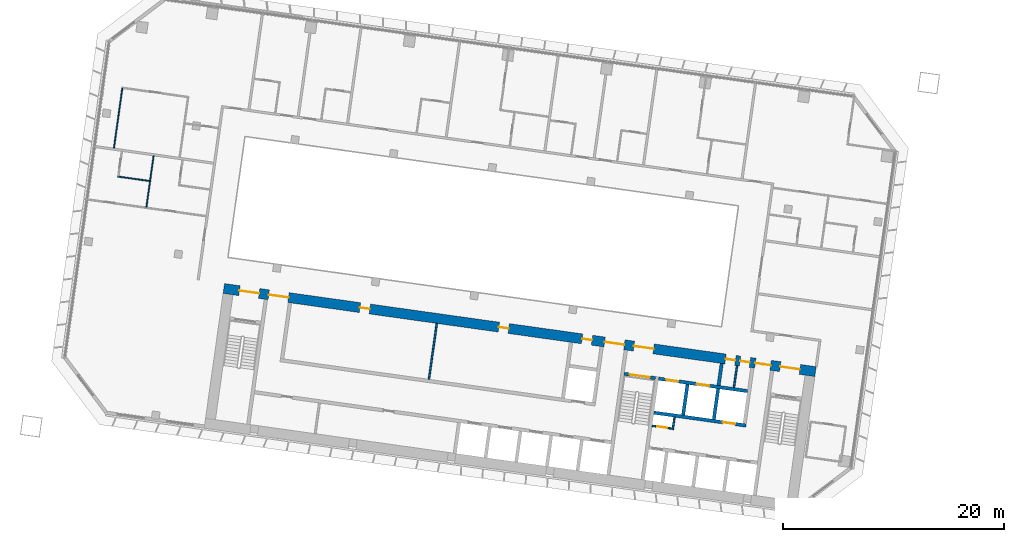
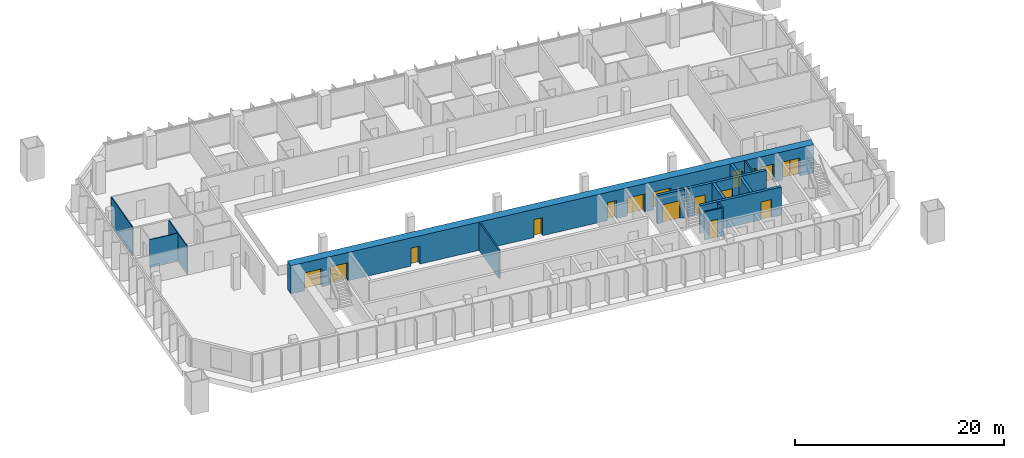
# One storey, part 15 of 24: 16 doors, 14 walls, 16 openings.
"""IFC4 building model written with IfcOpenShell, lengths in metres."""

from ifc_helpers import new_model, si_unit, direction, frame, frame_2d, origin, place, context, subcontext, project, spatial, rectangle, extrude, material, layer, layer_set, type_object, element, fill, save


model = new_model("IFC4")

# Units and contexts
model_context = context("Model", 3, precision=1e-05, world=origin(), true_north=direction((0.0, 1.0)))
body_context = subcontext(model_context, "Body", "Model", "MODEL_VIEW")
ifc_project = project(units=[si_unit("LENGTHUNIT", "METRE"), si_unit("AREAUNIT", "SQUARE_METRE"), si_unit("VOLUMEUNIT", "CUBIC_METRE"), si_unit("PLANEANGLEUNIT", "RADIAN"), si_unit("MASSUNIT", "GRAM", prefix="KILO")], contexts=[model_context])

# Site, building, storey
site_placement = place(None, origin())
site = spatial("IfcSite", under=ifc_project, at=site_placement, CompositionType="ELEMENT")
building_placement = place(site_placement, origin())
building = spatial("IfcBuilding", under=site, at=building_placement, Name="Mirante Cascada Hotel Towers", CompositionType="ELEMENT")
storey_placement = place(building_placement, frame((0.0, 0.0, 88.9)))
storey = spatial("IfcBuildingStorey", under=building, at=storey_placement, Name="L19", CompositionType="ELEMENT", Elevation=88.9)

# Wall
ifc_material_1 = material(Name="Masonry block", Category="masonry")
ifc_layer_1 = layer(ifc_material_1, 0.15)
ifc_layer_set_1 = layer_set([ifc_layer_1], Name="Core room partition 150 block EI 30")
wall_type_1 = type_object("IfcWallType", Name="Core room partition 150 block EI 30", PredefinedType="PARTITIONING", material=ifc_layer_set_1)
wall_1_placement = place(storey_placement, frame((-48.2295, -12.793, 0.0), z_axis=(0.0, 0.0, 1.0), x_axis=(0.1391935, 0.9902652, 0.0)))
element("IfcWall", 1, at=wall_1_placement, inside=storey, type_object=wall_type_1, Name="Core wall partition T1 L19 2", PredefinedType="PARTITIONING", context=body_context, shape_type="SweptSolid", body=[
    extrude(rectangle(XDim=1.1251, YDim=0.15, at=frame_2d((0.5626, 0.0))), origin(), (0.0, 0.0, 1.0), 3.3),
])

# Wall, opening, door
wall_2_placement = place(storey_placement, frame((-48.2933, -12.7083, 0.0), z_axis=(0.0, 0.0, 1.0), x_axis=(-0.990268, 0.1391734, 0.0)))
wall_2 = element("IfcWall", 2, at=wall_2_placement, inside=storey, type_object=wall_type_1, Name="Core wall partition T1 L19 3", PredefinedType="PARTITIONING", context=body_context, shape_type="SweptSolid", body=[
    extrude(rectangle(XDim=1.8251, YDim=0.15, at=frame_2d((0.9126, 0.0))), origin(), (0.0, 0.0, 1.0), 3.3),
])
opening_1_placement = place(wall_2_placement, frame((0.4625, 0.0, 0.0)))
opening_1 = element("IfcOpeningElement", 3, at=opening_1_placement, cuts=wall_2, Name="Opening D1-19-C23", PredefinedType="OPENING", context=body_context, shape_type="SweptSolid", body=[
    extrude(rectangle(XDim=0.9, YDim=2.1, at=frame_2d((0.45, 1.05))), frame((0.0, 0.075, 0.0), z_axis=(0.0, -1.0, 0.0), x_axis=(1.0, 0.0, 0.0)), (0.0, 0.0, 1.0), 0.15),
])
ifc_material_2 = material(Name="Hollow metal fire door leaf")
door_type_1 = type_object("IfcDoorType", Name="Fire door 900x2100 FD60", OperationType="NOTDEFINED", PredefinedType="DOOR", material=ifc_material_2)
door_1_placement = place(opening_1_placement, origin())
door_1 = element("IfcDoor", 4, at=door_1_placement, inside=storey, type_object=door_type_1, Name="Riser door T1 L19 23", OperationType="SINGLE_SWING_LEFT", OverallHeight=2.1, OverallWidth=0.9, PredefinedType="DOOR", context=body_context, shape_type="SweptSolid", body=[
    extrude(rectangle(XDim=0.9, YDim=2.1, at=frame_2d((0.45, 1.05))), frame((0.0, 0.025, 0.0), z_axis=(0.0, -1.0, 0.0), x_axis=(1.0, 0.0, 0.0)), (0.0, 0.0, 1.0), 0.05),
])
fill(opening_1, door_1)

# Walls
wall_3_placement = place(storey_placement, frame((-42.6979, -9.0009, 0.0), z_axis=(0.0, 0.0, 1.0), x_axis=(0.1391529, 0.9902709, 0.0)))
element("IfcWall", 5, at=wall_3_placement, inside=storey, type_object=wall_type_1, Name="Core wall partition T1 L19 4", PredefinedType="PARTITIONING", context=body_context, shape_type="SweptSolid", body=[
    extrude(rectangle(XDim=2.0, YDim=0.15, at=frame_2d((1.0, 0.0))), origin(), (0.0, 0.0, 1.0), 3.3),
])
wall_4_placement = place(storey_placement, frame((-70.2627, -8.2574, 0.0), z_axis=(0.0, 0.0, 1.0), x_axis=(0.1391755, 0.9902677, 0.0)))
element("IfcWall", 6, at=wall_4_placement, inside=storey, type_object=wall_type_1, Name="Core wall partition T1 L19 6", PredefinedType="PARTITIONING", context=body_context, shape_type="SweptSolid", body=[
    extrude(rectangle(XDim=5.1, YDim=0.15, at=frame_2d((2.55, 0.0))), origin(), (0.0, 0.0, 1.0), 3.3),
])
ifc_material_3 = material(Name="Masonry block", Category="masonry")
ifc_layer_2 = layer(ifc_material_3, 0.3)
ifc_layer_set_2 = layer_set([ifc_layer_2], Name="Core wall 300 block EI 120")
wall_type_2 = type_object("IfcWallType", Name="Core wall 300 block EI 120", PredefinedType="PARTITIONING", material=ifc_layer_set_2)
wall_5_placement = place(storey_placement, frame((-44.0843, -8.8061, 0.0), z_axis=(0.0, 0.0, 1.0), x_axis=(0.1391951, 0.990265, 0.0)))
element("IfcWall", 7, at=wall_5_placement, inside=storey, type_object=wall_type_2, Name="Core wall partition T1 L19 1", PredefinedType="PARTITIONING", context=body_context, shape_type="SweptSolid", body=[
    extrude(rectangle(XDim=2.0001, YDim=0.3, at=frame_2d((1.0001, 0.0))), origin(), (0.0, 0.0, 1.0), 3.3),
])
ifc_material_4 = material(Name="Plasterboard on metal studs")
ifc_layer_3 = layer(ifc_material_4, 0.1)
ifc_layer_set_3 = layer_set([ifc_layer_3], Name="Partition 100")
wall_type_3 = type_object("IfcWallType", Name="Partition 100", PredefinedType="PARTITIONING", material=ifc_layer_set_3)
wall_6_placement = place(storey_placement, frame((-98.386, 10.0682, 0.0), z_axis=(0.0, 0.0, 1.0), x_axis=(0.9902683, -0.1391714, 0.0)))
element("IfcWall", 8, at=wall_6_placement, inside=storey, type_object=wall_type_3, Name="Wall 1-L19-07", PredefinedType="PARTITIONING", context=body_context, shape_type="SweptSolid", body=[
    extrude(rectangle(XDim=2.9, YDim=0.1, at=frame_2d((1.45, 0.0))), origin(), (0.0, 0.0, 1.0), 3.3),
])
wall_7_placement = place(storey_placement, frame((-95.7964, 7.2976, 0.0), z_axis=(0.0, 0.0, 1.0), x_axis=(0.139176, 0.9902677, 0.0)))
element("IfcWall", 9, at=wall_7_placement, inside=storey, type_object=wall_type_3, Name="Wall 1-L19-52", PredefinedType="PARTITIONING", context=body_context, shape_type="SweptSolid", body=[
    extrude(rectangle(XDim=4.6833, YDim=0.1, at=frame_2d((2.3416, 0.0))), origin(), (0.0, 0.0, 1.0), 3.3),
])
wall_8_placement = place(storey_placement, frame((-98.7312, 12.6413, 0.0), z_axis=(0.0, 0.0, 1.0), x_axis=(0.1391733, 0.990268, 0.0)))
element("IfcWall", 10, at=wall_8_placement, inside=storey, type_object=wall_type_3, Name="Wall 1-L19-54", PredefinedType="PARTITIONING", context=body_context, shape_type="SweptSolid", body=[
    extrude(rectangle(XDim=5.45, YDim=0.1, at=frame_2d((2.725, 0.0))), origin(), (0.0, 0.0, 1.0), 3.3),
])

# Wall, opening, door
ifc_material_5 = material(Name="Concrete C50/60", Category="concrete")
ifc_layer_4 = layer(ifc_material_5, 0.3)
ifc_layer_set_4 = layer_set([ifc_layer_4], Name="RC core wall 300 C50/60")
wall_type_4 = type_object("IfcWallType", Name="RC core wall 300 C50/60", PredefinedType="SHEAR", material=ifc_layer_set_4)
wall_9_placement = place(storey_placement, frame((-49.7992, -8.1544, 0.0), z_axis=(0.0, 0.0, 1.0), x_axis=(-0.9902656, 0.1391909, 0.0)))
wall_9 = element("IfcWall", 11, at=wall_9_placement, inside=storey, type_object=wall_type_4, Name="Core wall T1:L19:10", PredefinedType="SHEAR", context=body_context, shape_type="SweptSolid", body=[
    extrude(rectangle(XDim=2.85, YDim=0.3, at=frame_2d((1.425, 0.0))), origin(), (0.0, 0.0, 1.0), 3.3),
])
opening_2_placement = place(wall_9_placement, frame((0.525, 0.0, 0.0)))
opening_2 = element("IfcOpeningElement", 12, at=opening_2_placement, cuts=wall_9, Name="Opening D1-19-C15", PredefinedType="OPENING", context=body_context, shape_type="SweptSolid", body=[
    extrude(rectangle(XDim=1.8, YDim=2.1, at=frame_2d((0.9, 1.05))), frame((0.0, 0.15, 0.0), z_axis=(0.0, -1.0, 0.0), x_axis=(1.0, 0.0, 0.0)), (0.0, 0.0, 1.0), 0.3),
])
ifc_material_6 = material(Name="Hollow metal fire door leaf")
door_type_2 = type_object("IfcDoorType", Name="Double fire door 1800x2100 FD60", OperationType="DOUBLE_DOOR_SINGLE_SWING", PredefinedType="DOOR", material=ifc_material_6)
door_2_placement = place(opening_2_placement, origin())
door_2 = element("IfcDoor", 13, at=door_2_placement, inside=storey, type_object=door_type_2, Name="Stair door T1 L19 15", OperationType="DOUBLE_DOOR_SINGLE_SWING", OverallHeight=2.1, OverallWidth=1.8, PredefinedType="DOOR", context=body_context, shape_type="SweptSolid", body=[
    extrude(rectangle(XDim=0.895, YDim=2.1, at=frame_2d((0.4475, 1.05))), frame((0.0, 0.025, 0.0), z_axis=(0.0, -1.0, 0.0), x_axis=(1.0, 0.0, 0.0)), (0.0, 0.0, 1.0), 0.05),
    extrude(rectangle(XDim=0.895, YDim=2.1, at=frame_2d((1.3525, 1.05))), frame((0.0, 0.025, 0.0), z_axis=(0.0, -1.0, 0.0), x_axis=(1.0, 0.0, 0.0)), (0.0, 0.0, 1.0), 0.05),
])
fill(opening_2, door_2)

wall_10_placement = place(storey_placement, frame((-41.6153, -12.435, 0.0), z_axis=(0.0, 0.0, 1.0), x_axis=(-0.9902691, 0.139166, 0.0)))
wall_10 = element("IfcWall", 14, at=wall_10_placement, inside=storey, type_object=wall_type_4, Name="Core wall T1:L19:13", PredefinedType="SHEAR", context=body_context, shape_type="SweptSolid", body=[
    extrude(rectangle(XDim=8.4, YDim=0.3, at=frame_2d((4.2, 0.0))), origin(), (0.0, 0.0, 1.0), 3.3),
])
opening_3_placement = place(wall_10_placement, frame((1.0, 0.0, 0.0)))
opening_3 = element("IfcOpeningElement", 15, at=opening_3_placement, cuts=wall_10, Name="Opening LD", PredefinedType="OPENING", context=body_context, shape_type="SweptSolid", body=[
    extrude(rectangle(XDim=1.1, YDim=2.1, at=frame_2d((0.55, 1.05))), frame((0.0, 0.15, 0.0), z_axis=(0.0, -1.0, 0.0), x_axis=(1.0, 0.0, 0.0)), (0.0, 0.0, 1.0), 0.3),
])
ifc_material_7 = material(Name="Stainless steel", Category="steel")
door_type_3 = type_object("IfcDoorType", Name="Lift landing door 1100x2100 EI 120", OperationType="DOUBLE_DOOR_SLIDING", PredefinedType="DOOR", material=ifc_material_7)
door_3_placement = place(opening_3_placement, origin())
door_3 = element("IfcDoor", 16, at=door_3_placement, inside=storey, type_object=door_type_3, Name="Lift landing door HR1-4 L19", OperationType="DOUBLE_DOOR_SLIDING", OverallHeight=2.1, OverallWidth=1.1, PredefinedType="DOOR", context=body_context, shape_type="SweptSolid", body=[
    extrude(rectangle(XDim=0.545, YDim=2.1, at=frame_2d((0.2725, 1.05))), frame((0.0, 0.025, 0.0), z_axis=(0.0, -1.0, 0.0), x_axis=(1.0, 0.0, 0.0)), (0.0, 0.0, 1.0), 0.05),
    extrude(rectangle(XDim=0.545, YDim=2.1, at=frame_2d((0.8275, 1.05))), frame((0.0, 0.025, 0.0), z_axis=(0.0, -1.0, 0.0), x_axis=(1.0, 0.0, 0.0)), (0.0, 0.0, 1.0), 0.05),
])
fill(opening_3, door_3)

# Wall, openings, doors
wall_11_placement = place(storey_placement, frame((-41.481, -9.3234, 0.0), z_axis=(0.0, 0.0, 1.0), x_axis=(-0.9902679, 0.1391741, 0.0)))
wall_11 = element("IfcWall", 17, at=wall_11_placement, inside=storey, type_object=wall_type_4, Name="Core wall T1:L19:14", PredefinedType="SHEAR", context=body_context, shape_type="SweptSolid", body=[
    extrude(rectangle(XDim=8.0999, YDim=0.3, at=frame_2d((4.05, 0.0))), origin(), (0.0, 0.0, 1.0), 3.3),
])
opening_4_placement = place(wall_11_placement, frame((3.5, 0.0, 0.0)))
opening_4 = element("IfcOpeningElement", 18, at=opening_4_placement, cuts=wall_11, Name="Opening LD", PredefinedType="OPENING", context=body_context, shape_type="SweptSolid", body=[
    extrude(rectangle(XDim=1.1, YDim=2.1, at=frame_2d((0.55, 1.05))), frame((0.0, 0.15, 0.0), z_axis=(0.0, -1.0, 0.0), x_axis=(1.0, 0.0, 0.0)), (0.0, 0.0, 1.0), 0.3),
])
opening_5_placement = place(wall_11_placement, frame((6.3, 0.0, 0.0)))
opening_5 = element("IfcOpeningElement", 19, at=opening_5_placement, cuts=wall_11, Name="Opening LD", PredefinedType="OPENING", context=body_context, shape_type="SweptSolid", body=[
    extrude(rectangle(XDim=1.1, YDim=2.1, at=frame_2d((0.55, 1.05))), frame((0.0, 0.15, 0.0), z_axis=(0.0, -1.0, 0.0), x_axis=(1.0, 0.0, 0.0)), (0.0, 0.0, 1.0), 0.3),
])
door_4_placement = place(opening_4_placement, origin())
door_4 = element("IfcDoor", 20, at=door_4_placement, inside=storey, type_object=door_type_3, Name="Lift landing door FF1 L19", OperationType="DOUBLE_DOOR_SLIDING", OverallHeight=2.1, OverallWidth=1.1, PredefinedType="DOOR", context=body_context, shape_type="SweptSolid", body=[
    extrude(rectangle(XDim=0.545, YDim=2.1, at=frame_2d((0.2725, 1.05))), frame((0.0, 0.025, 0.0), z_axis=(0.0, -1.0, 0.0), x_axis=(1.0, 0.0, 0.0)), (0.0, 0.0, 1.0), 0.05),
    extrude(rectangle(XDim=0.545, YDim=2.1, at=frame_2d((0.8275, 1.05))), frame((0.0, 0.025, 0.0), z_axis=(0.0, -1.0, 0.0), x_axis=(1.0, 0.0, 0.0)), (0.0, 0.0, 1.0), 0.05),
])
fill(opening_4, door_4)
door_5_placement = place(opening_5_placement, origin())
door_5 = element("IfcDoor", 21, at=door_5_placement, inside=storey, type_object=door_type_3, Name="Lift landing door FF2 L19", OperationType="DOUBLE_DOOR_SLIDING", OverallHeight=2.1, OverallWidth=1.1, PredefinedType="DOOR", context=body_context, shape_type="SweptSolid", body=[
    extrude(rectangle(XDim=0.545, YDim=2.1, at=frame_2d((0.2725, 1.05))), frame((0.0, 0.025, 0.0), z_axis=(0.0, -1.0, 0.0), x_axis=(1.0, 0.0, 0.0)), (0.0, 0.0, 1.0), 0.05),
    extrude(rectangle(XDim=0.545, YDim=2.1, at=frame_2d((0.8275, 1.05))), frame((0.0, 0.025, 0.0), z_axis=(0.0, -1.0, 0.0), x_axis=(1.0, 0.0, 0.0)), (0.0, 0.0, 1.0), 0.05),
])
fill(opening_5, door_5)

# Walls
for number, where, z_axis, x_axis, name in (
    (22, (-44.5157, -11.8759, 0.0), (0.0, 0.0, 1.0), (0.139181, 0.990267, 0.0), "Core wall T1:L19:18"),
    (23, (-47.2885, -11.4862, 0.0), (0.0, 0.0, 1.0), (0.139181, 0.990267, 0.0), "Core wall T1:L19:19"),
):
    element("IfcWall", number, at=place(storey_placement, frame(where, z_axis=z_axis, x_axis=x_axis)), inside=storey, type_object=wall_type_4, Name=name, PredefinedType="SHEAR", context=body_context, shape_type="SweptSolid", body=[
        extrude(rectangle(XDim=2.8, YDim=0.3, at=frame_2d((1.4, 0.0))), origin(), (0.0, 0.0, 1.0), 3.3),
    ])

# Wall, openings, doors
ifc_material_8 = material(Name="Concrete C50/60", Category="concrete")
ifc_layer_5 = layer(ifc_material_8, 0.9)
ifc_layer_set_5 = layer_set([ifc_layer_5], Name="RC core wall 900 C50/60")
wall_type_5 = type_object("IfcWallType", Name="RC core wall 900 C50/60", PredefinedType="SHEAR", material=ifc_layer_set_5)
wall_12_placement = place(storey_placement, frame((-35.326, -7.5629, 0.0), z_axis=(0.0, 0.0, 1.0), x_axis=(-0.9902679, 0.139174, 0.0)))
wall_12 = element("IfcWall", 24, at=wall_12_placement, inside=storey, type_object=wall_type_5, Name="Core wall T1:L19:2", PredefinedType="SHEAR", context=body_context, shape_type="SweptSolid", body=[
    extrude(rectangle(XDim=54.0, YDim=0.9, at=frame_2d((27.0, 0.0))), origin(), (0.0, 0.0, 1.0), 3.3),
])
opening_6_placement = place(wall_12_placement, frame((1.425, 0.0, 0.0)))
opening_6 = element("IfcOpeningElement", 25, at=opening_6_placement, cuts=wall_12, Name="Opening D1-19-C14", PredefinedType="OPENING", context=body_context, shape_type="SweptSolid", body=[
    extrude(rectangle(XDim=1.8, YDim=2.1, at=frame_2d((0.9, 1.05))), frame((0.0, 0.45, 0.0), z_axis=(0.0, -1.0, 0.0), x_axis=(1.0, 0.0, 0.0)), (0.0, 0.0, 1.0), 0.9),
])
opening_7_placement = place(wall_12_placement, frame((14.775, 0.0, 0.0)))
opening_7 = element("IfcOpeningElement", 26, at=opening_7_placement, cuts=wall_12, Name="Opening D1-19-C16", PredefinedType="OPENING", context=body_context, shape_type="SweptSolid", body=[
    extrude(rectangle(XDim=1.8, YDim=2.1, at=frame_2d((0.9, 1.05))), frame((0.0, 0.45, 0.0), z_axis=(0.0, -1.0, 0.0), x_axis=(1.0, 0.0, 0.0)), (0.0, 0.0, 1.0), 0.9),
])
opening_8_placement = place(wall_12_placement, frame((50.775, 0.0, 0.0)))
opening_8 = element("IfcOpeningElement", 27, at=opening_8_placement, cuts=wall_12, Name="Opening D1-19-C18", PredefinedType="OPENING", context=body_context, shape_type="SweptSolid", body=[
    extrude(rectangle(XDim=1.8, YDim=2.1, at=frame_2d((0.9, 1.05))), frame((0.0, 0.45, 0.0), z_axis=(0.0, -1.0, 0.0), x_axis=(1.0, 0.0, 0.0)), (0.0, 0.0, 1.0), 0.9),
])
opening_9_placement = place(wall_12_placement, frame((4.1, 0.0, 0.0)))
opening_9 = element("IfcOpeningElement", 28, at=opening_9_placement, cuts=wall_12, Name="Opening D1-19-C19", PredefinedType="OPENING", context=body_context, shape_type="SweptSolid", body=[
    extrude(rectangle(XDim=1.4, YDim=2.1, at=frame_2d((0.7, 1.05))), frame((0.0, 0.45, 0.0), z_axis=(0.0, -1.0, 0.0), x_axis=(1.0, 0.0, 0.0)), (0.0, 0.0, 1.0), 0.9),
])
opening_10_placement = place(wall_12_placement, frame((17.45, 0.0, 0.0)))
opening_10 = element("IfcOpeningElement", 29, at=opening_10_placement, cuts=wall_12, Name="Opening D1-19-C20", PredefinedType="OPENING", context=body_context, shape_type="SweptSolid", body=[
    extrude(rectangle(XDim=1.8, YDim=2.1, at=frame_2d((0.9, 1.05))), frame((0.0, 0.45, 0.0), z_axis=(0.0, -1.0, 0.0), x_axis=(1.0, 0.0, 0.0)), (0.0, 0.0, 1.0), 0.9),
])
opening_11_placement = place(wall_12_placement, frame((48.1, 0.0, 0.0)))
opening_11 = element("IfcOpeningElement", 30, at=opening_11_placement, cuts=wall_12, Name="Opening D1-19-C21", PredefinedType="OPENING", context=body_context, shape_type="SweptSolid", body=[
    extrude(rectangle(XDim=1.8, YDim=2.1, at=frame_2d((0.9, 1.05))), frame((0.0, 0.45, 0.0), z_axis=(0.0, -1.0, 0.0), x_axis=(1.0, 0.0, 0.0)), (0.0, 0.0, 1.0), 0.9),
])
opening_12_placement = place(wall_12_placement, frame((5.9875, 0.0, 0.0)))
opening_12 = element("IfcOpeningElement", 31, at=opening_12_placement, cuts=wall_12, Name="Opening D1-19-C24", PredefinedType="OPENING", context=body_context, shape_type="SweptSolid", body=[
    extrude(rectangle(XDim=0.9, YDim=2.1, at=frame_2d((0.45, 1.05))), frame((0.0, 0.45, 0.0), z_axis=(0.0, -1.0, 0.0), x_axis=(1.0, 0.0, 0.0)), (0.0, 0.0, 1.0), 0.9),
])
opening_13_placement = place(wall_12_placement, frame((7.3125, 0.0, 0.0)))
opening_13 = element("IfcOpeningElement", 32, at=opening_13_placement, cuts=wall_12, Name="Opening D1-19-C25", PredefinedType="OPENING", context=body_context, shape_type="SweptSolid", body=[
    extrude(rectangle(XDim=0.9, YDim=2.1, at=frame_2d((0.45, 1.05))), frame((0.0, 0.45, 0.0), z_axis=(0.0, -1.0, 0.0), x_axis=(1.0, 0.0, 0.0)), (0.0, 0.0, 1.0), 0.9),
])
opening_14_placement = place(wall_12_placement, frame((20.4, 0.0, 0.0)))
opening_14 = element("IfcOpeningElement", 33, at=opening_14_placement, cuts=wall_12, Name="Opening D1-19-C28", PredefinedType="OPENING", context=body_context, shape_type="SweptSolid", body=[
    extrude(rectangle(XDim=0.9, YDim=2.1, at=frame_2d((0.45, 1.05))), frame((0.0, 0.45, 0.0), z_axis=(0.0, -1.0, 0.0), x_axis=(1.0, 0.0, 0.0)), (0.0, 0.0, 1.0), 0.9),
])
opening_15_placement = place(wall_12_placement, frame((28.0, 0.0, 0.0)))
opening_15 = element("IfcOpeningElement", 34, at=opening_15_placement, cuts=wall_12, Name="Opening D1-19-C29", PredefinedType="OPENING", context=body_context, shape_type="SweptSolid", body=[
    extrude(rectangle(XDim=0.9, YDim=2.1, at=frame_2d((0.45, 1.05))), frame((0.0, 0.45, 0.0), z_axis=(0.0, -1.0, 0.0), x_axis=(1.0, 0.0, 0.0)), (0.0, 0.0, 1.0), 0.9),
])
opening_16_placement = place(wall_12_placement, frame((40.675, 0.0, 0.0)))
opening_16 = element("IfcOpeningElement", 35, at=opening_16_placement, cuts=wall_12, Name="Opening D1-19-C30", PredefinedType="OPENING", context=body_context, shape_type="SweptSolid", body=[
    extrude(rectangle(XDim=0.9, YDim=2.1, at=frame_2d((0.45, 1.05))), frame((0.0, 0.45, 0.0), z_axis=(0.0, -1.0, 0.0), x_axis=(1.0, 0.0, 0.0)), (0.0, 0.0, 1.0), 0.9),
])
ifc_material_9 = material(Name="Hollow metal fire door leaf")
door_type_4 = type_object("IfcDoorType", Name="Double fire door 1400x2100 FD60", OperationType="DOUBLE_DOOR_SINGLE_SWING", PredefinedType="DOOR", material=ifc_material_9)
door_6_placement = place(opening_9_placement, frame((1.4, 0.0, 0.0), z_axis=(0.0, 0.0, 1.0), x_axis=(-1.0, 0.0, 0.0)))
door_6 = element("IfcDoor", 36, at=door_6_placement, inside=storey, type_object=door_type_4, Name="Exit door to gallery T1 L19 19", OperationType="DOUBLE_DOOR_SINGLE_SWING", OverallHeight=2.1, OverallWidth=1.4, PredefinedType="DOOR", context=body_context, shape_type="SweptSolid", body=[
    extrude(rectangle(XDim=0.695, YDim=2.1, at=frame_2d((0.3475, 1.05))), frame((0.0, 0.025, 0.0), z_axis=(0.0, -1.0, 0.0), x_axis=(1.0, 0.0, 0.0)), (0.0, 0.0, 1.0), 0.05),
    extrude(rectangle(XDim=0.695, YDim=2.1, at=frame_2d((1.0525, 1.05))), frame((0.0, 0.025, 0.0), z_axis=(0.0, -1.0, 0.0), x_axis=(1.0, 0.0, 0.0)), (0.0, 0.0, 1.0), 0.05),
])
fill(opening_9, door_6)
door_7_placement = place(opening_6_placement, origin())
door_7 = element("IfcDoor", 37, at=door_7_placement, inside=storey, type_object=door_type_2, Name="Exit door to gallery T1 L19 14", OperationType="DOUBLE_DOOR_SINGLE_SWING", OverallHeight=2.1, OverallWidth=1.8, PredefinedType="DOOR", context=body_context, shape_type="SweptSolid", body=[
    extrude(rectangle(XDim=0.895, YDim=2.1, at=frame_2d((0.4475, 1.05))), frame((0.0, 0.025, 0.0), z_axis=(0.0, -1.0, 0.0), x_axis=(1.0, 0.0, 0.0)), (0.0, 0.0, 1.0), 0.05),
    extrude(rectangle(XDim=0.895, YDim=2.1, at=frame_2d((1.3525, 1.05))), frame((0.0, 0.025, 0.0), z_axis=(0.0, -1.0, 0.0), x_axis=(1.0, 0.0, 0.0)), (0.0, 0.0, 1.0), 0.05),
])
fill(opening_6, door_7)
door_8_placement = place(opening_7_placement, origin())
door_8 = element("IfcDoor", 38, at=door_8_placement, inside=storey, type_object=door_type_2, Name="Exit door to gallery T1 L19 16", OperationType="DOUBLE_DOOR_SINGLE_SWING", OverallHeight=2.1, OverallWidth=1.8, PredefinedType="DOOR", context=body_context, shape_type="SweptSolid", body=[
    extrude(rectangle(XDim=0.895, YDim=2.1, at=frame_2d((0.4475, 1.05))), frame((0.0, 0.025, 0.0), z_axis=(0.0, -1.0, 0.0), x_axis=(1.0, 0.0, 0.0)), (0.0, 0.0, 1.0), 0.05),
    extrude(rectangle(XDim=0.895, YDim=2.1, at=frame_2d((1.3525, 1.05))), frame((0.0, 0.025, 0.0), z_axis=(0.0, -1.0, 0.0), x_axis=(1.0, 0.0, 0.0)), (0.0, 0.0, 1.0), 0.05),
])
fill(opening_7, door_8)
door_9_placement = place(opening_8_placement, origin())
door_9 = element("IfcDoor", 39, at=door_9_placement, inside=storey, type_object=door_type_2, Name="Exit door to gallery T1 L19 18", OperationType="DOUBLE_DOOR_SINGLE_SWING", OverallHeight=2.1, OverallWidth=1.8, PredefinedType="DOOR", context=body_context, shape_type="SweptSolid", body=[
    extrude(rectangle(XDim=0.895, YDim=2.1, at=frame_2d((0.4475, 1.05))), frame((0.0, 0.025, 0.0), z_axis=(0.0, -1.0, 0.0), x_axis=(1.0, 0.0, 0.0)), (0.0, 0.0, 1.0), 0.05),
    extrude(rectangle(XDim=0.895, YDim=2.1, at=frame_2d((1.3525, 1.05))), frame((0.0, 0.025, 0.0), z_axis=(0.0, -1.0, 0.0), x_axis=(1.0, 0.0, 0.0)), (0.0, 0.0, 1.0), 0.05),
])
fill(opening_8, door_9)
door_10_placement = place(opening_10_placement, frame((1.8, 0.0, 0.0), z_axis=(0.0, 0.0, 1.0), x_axis=(-1.0, 0.0, 0.0)))
door_10 = element("IfcDoor", 40, at=door_10_placement, inside=storey, type_object=door_type_2, Name="Exit door to gallery T1 L19 20", OperationType="DOUBLE_DOOR_SINGLE_SWING", OverallHeight=2.1, OverallWidth=1.8, PredefinedType="DOOR", context=body_context, shape_type="SweptSolid", body=[
    extrude(rectangle(XDim=0.895, YDim=2.1, at=frame_2d((0.4475, 1.05))), frame((0.0, 0.025, 0.0), z_axis=(0.0, -1.0, 0.0), x_axis=(1.0, 0.0, 0.0)), (0.0, 0.0, 1.0), 0.05),
    extrude(rectangle(XDim=0.895, YDim=2.1, at=frame_2d((1.3525, 1.05))), frame((0.0, 0.025, 0.0), z_axis=(0.0, -1.0, 0.0), x_axis=(1.0, 0.0, 0.0)), (0.0, 0.0, 1.0), 0.05),
])
fill(opening_10, door_10)
door_11_placement = place(opening_11_placement, frame((1.8, 0.0, 0.0), z_axis=(0.0, 0.0, 1.0), x_axis=(-1.0, 0.0, 0.0)))
door_11 = element("IfcDoor", 41, at=door_11_placement, inside=storey, type_object=door_type_2, Name="Exit door to gallery T1 L19 21", OperationType="DOUBLE_DOOR_SINGLE_SWING", OverallHeight=2.1, OverallWidth=1.8, PredefinedType="DOOR", context=body_context, shape_type="SweptSolid", body=[
    extrude(rectangle(XDim=0.895, YDim=2.1, at=frame_2d((0.4475, 1.05))), frame((0.0, 0.025, 0.0), z_axis=(0.0, -1.0, 0.0), x_axis=(1.0, 0.0, 0.0)), (0.0, 0.0, 1.0), 0.05),
    extrude(rectangle(XDim=0.895, YDim=2.1, at=frame_2d((1.3525, 1.05))), frame((0.0, 0.025, 0.0), z_axis=(0.0, -1.0, 0.0), x_axis=(1.0, 0.0, 0.0)), (0.0, 0.0, 1.0), 0.05),
])
fill(opening_11, door_11)
door_12_placement = place(opening_12_placement, origin())
door_12 = element("IfcDoor", 42, at=door_12_placement, inside=storey, type_object=door_type_1, Name="Room door T1 L19 24", OperationType="SINGLE_SWING_RIGHT", OverallHeight=2.1, OverallWidth=0.9, PredefinedType="DOOR", context=body_context, shape_type="SweptSolid", body=[
    extrude(rectangle(XDim=0.9, YDim=2.1, at=frame_2d((0.45, 1.05))), frame((0.0, 0.025, 0.0), z_axis=(0.0, -1.0, 0.0), x_axis=(1.0, 0.0, 0.0)), (0.0, 0.0, 1.0), 0.05),
])
fill(opening_12, door_12)
door_13_placement = place(opening_13_placement, origin())
door_13 = element("IfcDoor", 43, at=door_13_placement, inside=storey, type_object=door_type_1, Name="Room door T1 L19 25", OperationType="SINGLE_SWING_RIGHT", OverallHeight=2.1, OverallWidth=0.9, PredefinedType="DOOR", context=body_context, shape_type="SweptSolid", body=[
    extrude(rectangle(XDim=0.9, YDim=2.1, at=frame_2d((0.45, 1.05))), frame((0.0, 0.025, 0.0), z_axis=(0.0, -1.0, 0.0), x_axis=(1.0, 0.0, 0.0)), (0.0, 0.0, 1.0), 0.05),
])
fill(opening_13, door_13)
door_14_placement = place(opening_14_placement, origin())
door_14 = element("IfcDoor", 44, at=door_14_placement, inside=storey, type_object=door_type_1, Name="Room door T1 L19 28", OperationType="SINGLE_SWING_RIGHT", OverallHeight=2.1, OverallWidth=0.9, PredefinedType="DOOR", context=body_context, shape_type="SweptSolid", body=[
    extrude(rectangle(XDim=0.9, YDim=2.1, at=frame_2d((0.45, 1.05))), frame((0.0, 0.025, 0.0), z_axis=(0.0, -1.0, 0.0), x_axis=(1.0, 0.0, 0.0)), (0.0, 0.0, 1.0), 0.05),
])
fill(opening_14, door_14)
door_15_placement = place(opening_15_placement, origin())
door_15 = element("IfcDoor", 45, at=door_15_placement, inside=storey, type_object=door_type_1, Name="Room door T1 L19 29", OperationType="SINGLE_SWING_LEFT", OverallHeight=2.1, OverallWidth=0.9, PredefinedType="DOOR", context=body_context, shape_type="SweptSolid", body=[
    extrude(rectangle(XDim=0.9, YDim=2.1, at=frame_2d((0.45, 1.05))), frame((0.0, 0.025, 0.0), z_axis=(0.0, -1.0, 0.0), x_axis=(1.0, 0.0, 0.0)), (0.0, 0.0, 1.0), 0.05),
])
fill(opening_15, door_15)
door_16_placement = place(opening_16_placement, origin())
door_16 = element("IfcDoor", 46, at=door_16_placement, inside=storey, type_object=door_type_1, Name="Room door T1 L19 30", OperationType="SINGLE_SWING_LEFT", OverallHeight=2.1, OverallWidth=0.9, PredefinedType="DOOR", context=body_context, shape_type="SweptSolid", body=[
    extrude(rectangle(XDim=0.9, YDim=2.1, at=frame_2d((0.45, 1.05))), frame((0.0, 0.025, 0.0), z_axis=(0.0, -1.0, 0.0), x_axis=(1.0, 0.0, 0.0)), (0.0, 0.0, 1.0), 0.05),
])
fill(opening_16, door_16)

save(model, "model.ifc")
